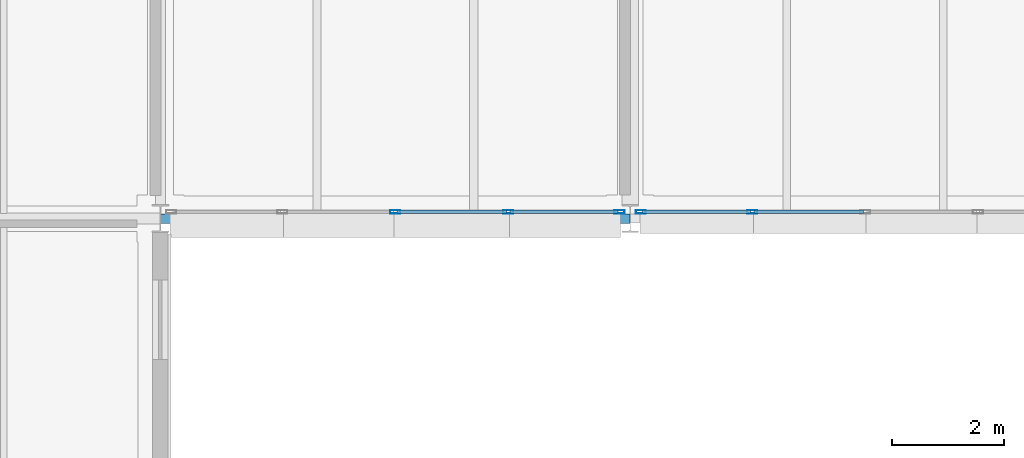
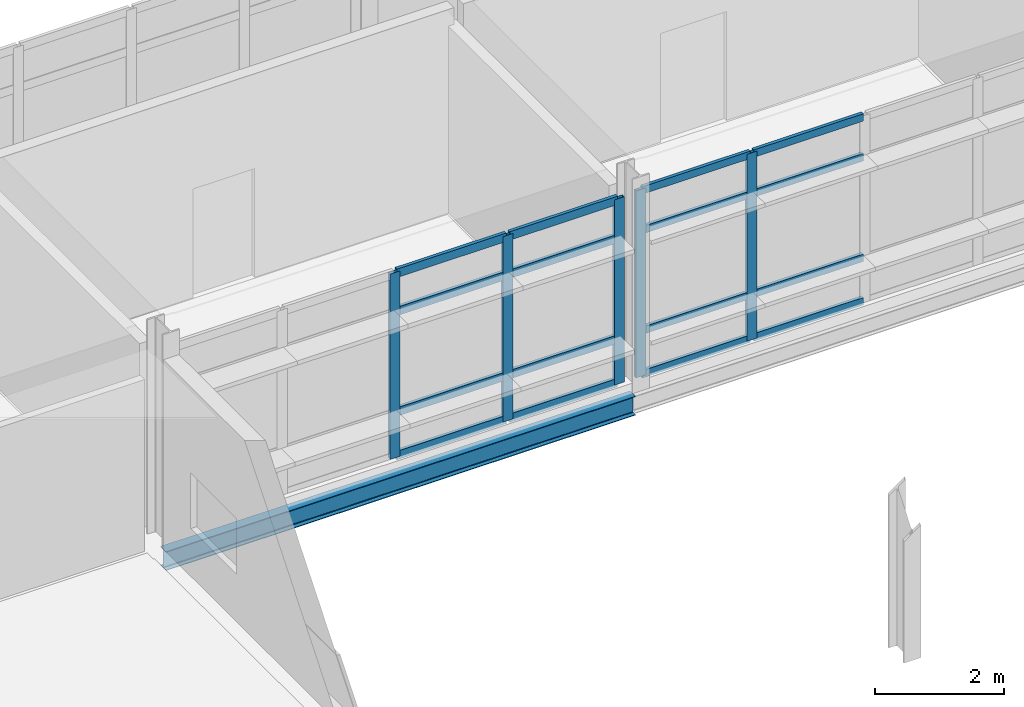
# One storey, part 79 of 131: 21 members, 1 beam, 2 elements without a shape of their own.
"""IFC4 building model written with IfcOpenShell, lengths in metres."""

from ifc_helpers import new_model, si_unit, direction, frame, origin, origin_2d, place, context, subcontext, project, spatial, hollow_rectangle, i_section, extrude, material, material_profile, profile_set, type_object, element, aggregate, save


model = new_model("IFC4")

# Units and contexts
model_context = context("Model", 3, precision=1e-05, world=origin(), true_north=direction((0.0, 1.0)))
body_context = subcontext(model_context, "Body", "Model", "MODEL_VIEW")
ifc_project = project(units=[si_unit("LENGTHUNIT", "METRE"), si_unit("AREAUNIT", "SQUARE_METRE"), si_unit("VOLUMEUNIT", "CUBIC_METRE"), si_unit("PLANEANGLEUNIT", "RADIAN"), si_unit("MASSUNIT", "GRAM", prefix="KILO")], contexts=[model_context])

# Site, building, storey
site_placement = place(None, origin())
site = spatial("IfcSite", under=ifc_project, at=site_placement, CompositionType="ELEMENT")
building_placement = place(site_placement, origin())
building = spatial("IfcBuilding", under=site, at=building_placement, Name="Mersafa Astral City Hall", CompositionType="ELEMENT")
storey_placement = place(building_placement, frame((0.0, 0.0, 13.949951171875)))
storey = spatial("IfcBuildingStorey", under=building, at=storey_placement, Name="L03", CompositionType="ELEMENT", Elevation=13.949951171875)

# Curtain wall, members
ifc_material_1 = material(Name="Anodised bronze aluminium framing", Category="aluminium")
curtain_wall_type_1 = type_object("IfcCurtainWallType", Name="ENV-CW-3", PredefinedType="USERDEFINED", material=ifc_material_1)
curtain_wall_1_placement = place(storey_placement, origin())
curtain_wall_1 = element("IfcCurtainWall", 1, at=curtain_wall_1_placement, inside=storey, type_object=curtain_wall_type_1, Name="L03 Unitised solar curtain wall 158", ObjectType="UNITISED CURTAIN WALL", PredefinedType="USERDEFINED")
ifc_material_profile_1 = material_profile(ifc_material_1, hollow_rectangle(XDim=0.06005859375, YDim=0.179931640625, WallThickness=0.00390625, at=origin_2d()), Name="RHS 60x180x4")
ifc_profile_set_1 = profile_set([ifc_material_profile_1], Name="Anodised bronze aluminium framing")
member_type_1 = type_object("IfcMemberType", Name="ENV-CW-MUL-1", PredefinedType="MULLION", material=ifc_profile_set_1)
member_1_placement = place(storey_placement, frame((121.800048828125, 117.719970703125, -0.001953125), z_axis=(0.0, 0.0, 1.0), x_axis=(0.0, 1.0, 0.0)))
member_1 = element("IfcMember", 2, at=member_1_placement, type_object=member_type_1, Name="CW-3 mullion 3", PredefinedType="MULLION", context=body_context, shape_type="SweptSolid", body=[
    extrude(hollow_rectangle(XDim=0.06005859375, YDim=0.179931640625, WallThickness=0.00390625, at=origin_2d()), origin(), (0.0, 0.0, 1.0), 3.50390625),
])
member_2_placement = place(storey_placement, frame((123.819091796875, 117.719970703125, -0.001953125), z_axis=(0.0, 0.0, 1.0), x_axis=(0.0, 1.0, 0.0)))
member_2 = element("IfcMember", 3, at=member_2_placement, type_object=member_type_1, Name="CW-3 mullion 4", PredefinedType="MULLION", context=body_context, shape_type="SweptSolid", body=[
    extrude(hollow_rectangle(XDim=0.06005859375, YDim=0.179931640625, WallThickness=0.00390625, at=origin_2d()), origin(), (0.0, 0.0, 1.0), 3.50390625),
])
member_3_placement = place(storey_placement, frame((125.80810546875, 117.719970703125, -0.001953125), z_axis=(0.0, 0.0, 1.0), x_axis=(0.0, 1.0, 0.0)))
member_3 = element("IfcMember", 4, at=member_3_placement, type_object=member_type_1, Name="CW-3 mullion 5", PredefinedType="MULLION", context=body_context, shape_type="SweptSolid", body=[
    extrude(hollow_rectangle(XDim=0.06005859375, YDim=0.179931640625, WallThickness=0.00390625, at=origin_2d()), origin(), (0.0, 0.0, 1.0), 3.50390625),
])

curtain_wall_type_2 = type_object("IfcCurtainWallType", Name="ENV-CW-4", PredefinedType="USERDEFINED", material=ifc_material_1)
curtain_wall_2_placement = place(storey_placement, origin())
curtain_wall_2 = element("IfcCurtainWall", 5, at=curtain_wall_2_placement, inside=storey, type_object=curtain_wall_type_2, Name="L03 Unitised solar curtain wall 159", ObjectType="UNITISED CURTAIN WALL", PredefinedType="USERDEFINED")
member_4_placement = place(storey_placement, frame((126.19189453125, 117.719970703125, -0.001953125), z_axis=(0.0, 0.0, 1.0), x_axis=(0.0, 1.0, 0.0)))
member_4 = element("IfcMember", 6, at=member_4_placement, type_object=member_type_1, Name="CW-4 mullion 1", PredefinedType="MULLION", context=body_context, shape_type="SweptSolid", body=[
    extrude(hollow_rectangle(XDim=0.06005859375, YDim=0.179931640625, WallThickness=0.00390625, at=origin_2d()), origin(), (0.0, 0.0, 1.0), 3.533935546875),
])
member_5_placement = place(storey_placement, frame((128.180908203125, 117.719970703125, -0.001953125), z_axis=(0.0, 0.0, 1.0), x_axis=(0.0, 1.0, 0.0)))
member_5 = element("IfcMember", 7, at=member_5_placement, type_object=member_type_1, Name="CW-4 mullion 2", PredefinedType="MULLION", context=body_context, shape_type="SweptSolid", body=[
    extrude(hollow_rectangle(XDim=0.06005859375, YDim=0.179931640625, WallThickness=0.00390625, at=origin_2d()), origin(), (0.0, 0.0, 1.0), 3.533935546875),
])
ifc_material_profile_2 = material_profile(ifc_material_1, hollow_rectangle(XDim=0.06005859375, YDim=0.139892578125, WallThickness=0.00390625, at=origin_2d()), Name="RHS 60x140x4")
ifc_profile_set_2 = profile_set([ifc_material_profile_2], Name="Anodised bronze aluminium framing")
member_type_2 = type_object("IfcMemberType", Name="ENV-CW-TRN-1", PredefinedType="USERDEFINED", material=ifc_profile_set_2)
member_6_placement = place(storey_placement, frame((126.221923828125, 117.719970703125, 0.028076171875), z_axis=(1.0, 0.0, 0.0), x_axis=(0.0, 1.0, 0.0)))
member_6 = element("IfcMember", 8, at=member_6_placement, type_object=member_type_2, Name="CW-4 transom 1.1", ObjectType="TRANSOM", PredefinedType="USERDEFINED", context=body_context, shape_type="SweptSolid", body=[
    extrude(hollow_rectangle(XDim=0.06005859375, YDim=0.139892578125, WallThickness=0.00390625, at=origin_2d()), origin(), (0.0, 0.0, 1.0), 1.928955078125),
])
member_7_placement = place(storey_placement, frame((126.221923828125, 117.719970703125, 0.85009765625), z_axis=(1.0, 0.0, 0.0), x_axis=(0.0, 1.0, 0.0)))
member_7 = element("IfcMember", 9, at=member_7_placement, type_object=member_type_2, Name="CW-4 transom 1.2", ObjectType="TRANSOM", PredefinedType="USERDEFINED", context=body_context, shape_type="SweptSolid", body=[
    extrude(hollow_rectangle(XDim=0.06005859375, YDim=0.139892578125, WallThickness=0.00390625, at=origin_2d()), origin(), (0.0, 0.0, 1.0), 1.928955078125),
])
member_8_placement = place(storey_placement, frame((126.221923828125, 117.719970703125, 2.75), z_axis=(1.0, 0.0, 0.0), x_axis=(0.0, 1.0, 0.0)))
member_8 = element("IfcMember", 10, at=member_8_placement, type_object=member_type_2, Name="CW-4 transom 1.3", ObjectType="TRANSOM", PredefinedType="USERDEFINED", context=body_context, shape_type="SweptSolid", body=[
    extrude(hollow_rectangle(XDim=0.06005859375, YDim=0.139892578125, WallThickness=0.00390625, at=origin_2d()), origin(), (0.0, 0.0, 1.0), 1.928955078125),
])
member_9_placement = place(storey_placement, frame((126.221923828125, 117.719970703125, 3.501953125), z_axis=(1.0, 0.0, 0.0), x_axis=(0.0, 1.0, 0.0)))
member_9 = element("IfcMember", 11, at=member_9_placement, type_object=member_type_2, Name="CW-4 transom 1.4", ObjectType="TRANSOM", PredefinedType="USERDEFINED", context=body_context, shape_type="SweptSolid", body=[
    extrude(hollow_rectangle(XDim=0.06005859375, YDim=0.139892578125, WallThickness=0.00390625, at=origin_2d()), origin(), (0.0, 0.0, 1.0), 1.928955078125),
])
member_10_placement = place(storey_placement, frame((128.2109375, 117.719970703125, 0.028076171875), z_axis=(1.0, 0.0, 0.0), x_axis=(0.0, 1.0, 0.0)))
member_10 = element("IfcMember", 12, at=member_10_placement, type_object=member_type_2, Name="CW-4 transom 2.1", ObjectType="TRANSOM", PredefinedType="USERDEFINED", context=body_context, shape_type="SweptSolid", body=[
    extrude(hollow_rectangle(XDim=0.06005859375, YDim=0.139892578125, WallThickness=0.00390625, at=origin_2d()), origin(), (0.0, 0.0, 1.0), 1.958984375),
])
member_11_placement = place(storey_placement, frame((128.2109375, 117.719970703125, 0.85009765625), z_axis=(1.0, 0.0, 0.0), x_axis=(0.0, 1.0, 0.0)))
member_11 = element("IfcMember", 13, at=member_11_placement, type_object=member_type_2, Name="CW-4 transom 2.2", ObjectType="TRANSOM", PredefinedType="USERDEFINED", context=body_context, shape_type="SweptSolid", body=[
    extrude(hollow_rectangle(XDim=0.06005859375, YDim=0.139892578125, WallThickness=0.00390625, at=origin_2d()), origin(), (0.0, 0.0, 1.0), 1.958984375),
])
member_12_placement = place(storey_placement, frame((128.2109375, 117.719970703125, 2.75), z_axis=(1.0, 0.0, 0.0), x_axis=(0.0, 1.0, 0.0)))
member_12 = element("IfcMember", 14, at=member_12_placement, type_object=member_type_2, Name="CW-4 transom 2.3", ObjectType="TRANSOM", PredefinedType="USERDEFINED", context=body_context, shape_type="SweptSolid", body=[
    extrude(hollow_rectangle(XDim=0.06005859375, YDim=0.139892578125, WallThickness=0.00390625, at=origin_2d()), origin(), (0.0, 0.0, 1.0), 1.958984375),
])
member_13_placement = place(storey_placement, frame((128.2109375, 117.719970703125, 3.501953125), z_axis=(1.0, 0.0, 0.0), x_axis=(0.0, 1.0, 0.0)))
member_13 = element("IfcMember", 15, at=member_13_placement, type_object=member_type_2, Name="CW-4 transom 2.4", ObjectType="TRANSOM", PredefinedType="USERDEFINED", context=body_context, shape_type="SweptSolid", body=[
    extrude(hollow_rectangle(XDim=0.06005859375, YDim=0.139892578125, WallThickness=0.00390625, at=origin_2d()), origin(), (0.0, 0.0, 1.0), 1.958984375),
])
aggregate(curtain_wall_2, [member_4, member_5, member_6, member_7, member_8, member_9, member_10, member_11, member_12, member_13])

# Member
ifc_material_profile_3 = material_profile(ifc_material_1, hollow_rectangle(XDim=0.06005859375, YDim=0.159912109375, WallThickness=0.00390625, at=origin_2d()), Name="RHS 60x160x4")
ifc_profile_set_3 = profile_set([ifc_material_profile_3], Name="Anodised bronze aluminium framing")
member_type_3 = type_object("IfcMemberType", Name="ENV-CW-TRN-2", PredefinedType="USERDEFINED", material=ifc_profile_set_3)
member_14_placement = place(storey_placement, frame((121.830078125, 117.719970703125, 0.028076171875), z_axis=(1.0, 0.0, 0.0), x_axis=(0.0, 1.0, 0.0)))
member_14 = element("IfcMember", 16, at=member_14_placement, type_object=member_type_3, Name="CW-3 transom 3.1", ObjectType="TRANSOM", PredefinedType="USERDEFINED", context=body_context, shape_type="SweptSolid", body=[
    extrude(hollow_rectangle(XDim=0.06005859375, YDim=0.159912109375, WallThickness=0.00390625, at=origin_2d()), origin(), (0.0, 0.0, 1.0), 1.958984375),
])

member_15_placement = place(storey_placement, frame((121.830078125, 117.719970703125, 0.85009765625), z_axis=(1.0, 0.0, 0.0), x_axis=(0.0, 1.0, 0.0)))
member_15 = element("IfcMember", 17, at=member_15_placement, type_object=member_type_3, Name="CW-3 transom 3.2", ObjectType="TRANSOM", PredefinedType="USERDEFINED", context=body_context, shape_type="SweptSolid", body=[
    extrude(hollow_rectangle(XDim=0.06005859375, YDim=0.159912109375, WallThickness=0.00390625, at=origin_2d()), origin(), (0.0, 0.0, 1.0), 1.958984375),
])

member_16_placement = place(storey_placement, frame((121.830078125, 117.719970703125, 2.75), z_axis=(1.0, 0.0, 0.0), x_axis=(0.0, 1.0, 0.0)))
member_16 = element("IfcMember", 18, at=member_16_placement, type_object=member_type_3, Name="CW-3 transom 3.3", ObjectType="TRANSOM", PredefinedType="USERDEFINED", context=body_context, shape_type="SweptSolid", body=[
    extrude(hollow_rectangle(XDim=0.06005859375, YDim=0.159912109375, WallThickness=0.00390625, at=origin_2d()), origin(), (0.0, 0.0, 1.0), 1.958984375),
])

member_17_placement = place(storey_placement, frame((121.830078125, 117.719970703125, 3.47216796875), z_axis=(1.0, 0.0, 0.0), x_axis=(0.0, 1.0, 0.0)))
member_17 = element("IfcMember", 19, at=member_17_placement, type_object=member_type_3, Name="CW-3 transom 3.4", ObjectType="TRANSOM", PredefinedType="USERDEFINED", context=body_context, shape_type="SweptSolid", body=[
    extrude(hollow_rectangle(XDim=0.06005859375, YDim=0.159912109375, WallThickness=0.00390625, at=origin_2d()), origin(), (0.0, 0.0, 1.0), 1.958984375),
])

member_18_placement = place(storey_placement, frame((123.84912109375, 117.719970703125, 0.028076171875), z_axis=(1.0, 0.0, 0.0), x_axis=(0.0, 1.0, 0.0)))
member_18 = element("IfcMember", 20, at=member_18_placement, type_object=member_type_3, Name="CW-3 transom 4.1", ObjectType="TRANSOM", PredefinedType="USERDEFINED", context=body_context, shape_type="SweptSolid", body=[
    extrude(hollow_rectangle(XDim=0.06005859375, YDim=0.159912109375, WallThickness=0.00390625, at=origin_2d()), origin(), (0.0, 0.0, 1.0), 1.928955078125),
])

member_19_placement = place(storey_placement, frame((123.84912109375, 117.719970703125, 0.85009765625), z_axis=(1.0, 0.0, 0.0), x_axis=(0.0, 1.0, 0.0)))
member_19 = element("IfcMember", 21, at=member_19_placement, type_object=member_type_3, Name="CW-3 transom 4.2", ObjectType="TRANSOM", PredefinedType="USERDEFINED", context=body_context, shape_type="SweptSolid", body=[
    extrude(hollow_rectangle(XDim=0.06005859375, YDim=0.159912109375, WallThickness=0.00390625, at=origin_2d()), origin(), (0.0, 0.0, 1.0), 1.928955078125),
])

member_20_placement = place(storey_placement, frame((123.84912109375, 117.719970703125, 2.75), z_axis=(1.0, 0.0, 0.0), x_axis=(0.0, 1.0, 0.0)))
member_20 = element("IfcMember", 22, at=member_20_placement, type_object=member_type_3, Name="CW-3 transom 4.3", ObjectType="TRANSOM", PredefinedType="USERDEFINED", context=body_context, shape_type="SweptSolid", body=[
    extrude(hollow_rectangle(XDim=0.06005859375, YDim=0.159912109375, WallThickness=0.00390625, at=origin_2d()), origin(), (0.0, 0.0, 1.0), 1.928955078125),
])

member_21_placement = place(storey_placement, frame((123.84912109375, 117.719970703125, 3.47216796875), z_axis=(1.0, 0.0, 0.0), x_axis=(0.0, 1.0, 0.0)))
member_21 = element("IfcMember", 23, at=member_21_placement, type_object=member_type_3, Name="CW-3 transom 4.4", ObjectType="TRANSOM", PredefinedType="USERDEFINED", context=body_context, shape_type="SweptSolid", body=[
    extrude(hollow_rectangle(XDim=0.06005859375, YDim=0.159912109375, WallThickness=0.00390625, at=origin_2d()), origin(), (0.0, 0.0, 1.0), 1.928955078125),
])

aggregate(curtain_wall_1, [member_1, member_2, member_3, member_14, member_15, member_16, member_17, member_18, member_19, member_20, member_21])

# Beam
ifc_material_2 = material(Name="Steel S355", Category="steel")
ifc_material_profile_4 = material_profile(ifc_material_2, i_section(OverallWidth=0.169921875, OverallDepth=0.360107421875, WebThickness=0.008056640625, FlangeThickness=0.0126953125, FilletRadius=0.01806640625, at=origin_2d()), Name="IPE 360")
ifc_profile_set_4 = profile_set([ifc_material_profile_4], Name="Steel S355")
beam_type = type_object("IfcBeamType", Name="STR-BM-SPANDREL-IPE360", PredefinedType="SPANDREL", material=ifc_profile_set_4)
beam_placement = place(storey_placement, frame((117.60302734375, 117.60009765625, -0.3798828125), z_axis=(1.0, 0.0, 0.0), x_axis=(0.0, 1.0, 0.0)))
element("IfcBeam", 24, at=beam_placement, inside=storey, type_object=beam_type, Name="L03 Primary girder X 14-14", PredefinedType="SPANDREL", context=body_context, shape_type="SweptSolid", body=[
    extrude(i_section(OverallWidth=0.169921875, OverallDepth=0.360107421875, WebThickness=0.008056640625, FlangeThickness=0.0126953125, FilletRadius=0.01806640625, at=origin_2d()), origin(), (0.0, 0.0, 1.0), 8.39404296875),
])

save(model, "model.ifc")
